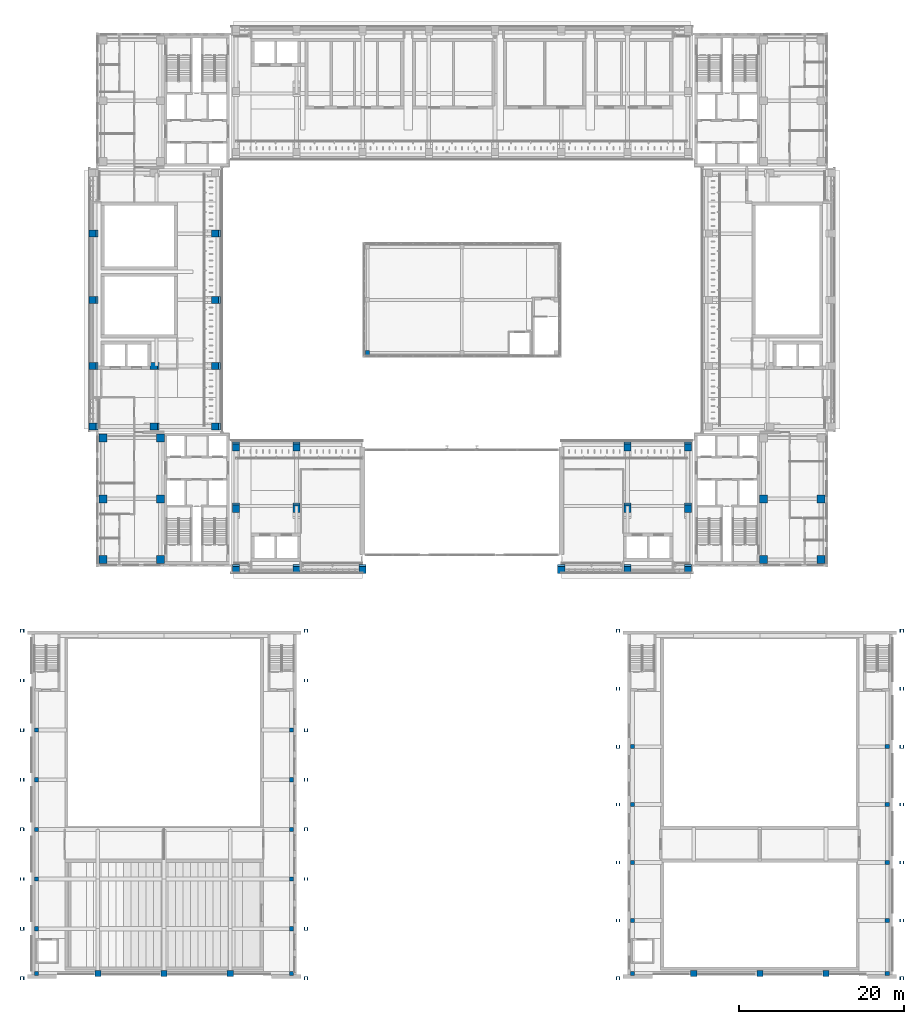
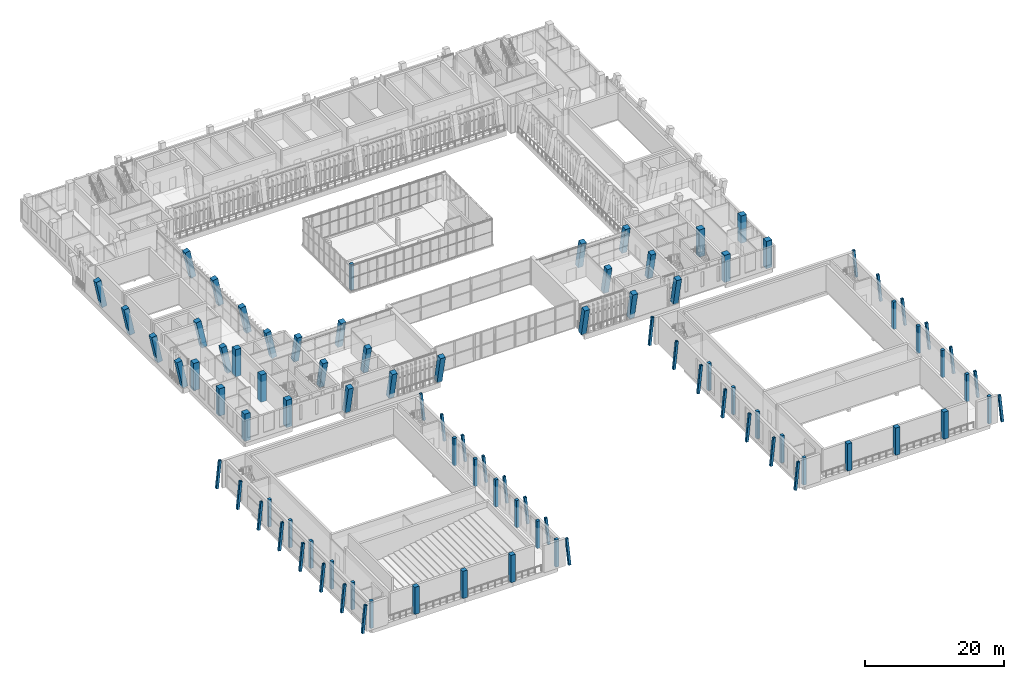
# One storey, part 1 of 92: 93 columns.
"""IFC4 building model written with IfcOpenShell, lengths in metres."""

from ifc_helpers import new_model, si_unit, direction, frame, origin, origin_2d, place, context, subcontext, project, spatial, rectangle, hollow_rectangle, extrude, material, material_profile, profile_set, type_object, element, save


model = new_model("IFC4")

# Units and contexts
model_context = context("Model", 3, precision=1e-05, world=origin(), true_north=direction((0.0, 1.0)))
body_context = subcontext(model_context, "Body", "Model", "MODEL_VIEW")
ifc_project = project(units=[si_unit("LENGTHUNIT", "METRE"), si_unit("AREAUNIT", "SQUARE_METRE"), si_unit("VOLUMEUNIT", "CUBIC_METRE"), si_unit("PLANEANGLEUNIT", "RADIAN"), si_unit("MASSUNIT", "GRAM", prefix="KILO")], contexts=[model_context])

# Site, building, storey
site_placement = place(None, origin())
site = spatial("IfcSite", under=ifc_project, at=site_placement, CompositionType="ELEMENT")
building_placement = place(site_placement, origin())
building = spatial("IfcBuilding", under=site, at=building_placement, Name="Lantern Court Media Centre", CompositionType="ELEMENT")
storey_placement = place(building_placement, frame((0.0, 0.0, 4.800048828125)))
storey = spatial("IfcBuildingStorey", under=building, at=storey_placement, Name="L01", CompositionType="ELEMENT", Elevation=4.800048828125)

# Columns
ifc_material_1 = material(Name="Steel S355J2 (EN 10025-2)", Category="steel")
ifc_material_profile_1 = material_profile(ifc_material_1, hollow_rectangle(XDim=0.39990234375, YDim=0.39990234375, WallThickness=0.012451171875, InnerFilletRadius=0.012451171875, OuterFilletRadius=0.018798828125, at=origin_2d()), Name="Cinema Hall buttress column SHS 400x12.5")
ifc_profile_set_1 = profile_set([ifc_material_profile_1], Name="Steel S355J2 (EN 10025-2)")
column_type_1 = type_object("IfcColumnType", Name="Cinema Hall buttress column SHS 400x12.5", PredefinedType="COLUMN", material=ifc_profile_set_1)
for number, where, z_axis, x_axis, name in (
    (1, (-1.213134765625, 4.0, 0.0), (0.100951540179, 0.0, 0.994891344085), (0.0, 1.0, 0.0), "Cinema Hall buttress west 2"),
    (2, (-1.213134765625, 10.0, 0.0), (0.100951540179, 0.0, 0.994891344085), (0.0, 1.0, 0.0), "Cinema Hall buttress west 3"),
    (3, (-1.213134765625, 16.0, 0.0), (0.100951540179, 0.0, 0.994891344085), (0.0, 1.0, 0.0), "Cinema Hall buttress west 4"),
    (4, (-1.213134765625, 22.0, 0.0), (0.100951540179, 0.0, 0.994891344085), (0.0, 1.0, 0.0), "Cinema Hall buttress west 5"),
    (5, (-1.213134765625, 28.0, 0.0), (0.100951540179, 0.0, 0.994891344085), (0.0, 1.0, 0.0), "Cinema Hall buttress west 6"),
    (6, (-1.213134765625, 34.0, 0.0), (0.100951540179, 0.0, 0.994891344085), (0.0, 1.0, 0.0), "Cinema Hall buttress west 7"),
    (7, (33.213134765625, 4.0, 0.0), (-0.100951540179, 0.0, 0.994891344085), (0.0, -1.0, 0.0), "Cinema Hall buttress east 2"),
    (8, (33.213134765625, 10.0, 0.0), (-0.100951540179, 0.0, 0.994891344085), (0.0, -1.0, 0.0), "Cinema Hall buttress east 3"),
    (9, (33.213134765625, 16.0, 0.0), (-0.100951540179, 0.0, 0.994891344085), (0.0, -1.0, 0.0), "Cinema Hall buttress east 4"),
    (10, (33.213134765625, 22.0, 0.0), (-0.100951540179, 0.0, 0.994891344085), (0.0, -1.0, 0.0), "Cinema Hall buttress east 5"),
    (11, (33.213134765625, 28.0, 0.0), (-0.100951540179, 0.0, 0.994891344085), (0.0, -1.0, 0.0), "Cinema Hall buttress east 6"),
    (12, (33.213134765625, 34.0, 0.0), (-0.100951540179, 0.0, 0.994891344085), (0.0, -1.0, 0.0), "Cinema Hall buttress east 7"),
):
    element("IfcColumn", number, at=place(storey_placement, frame(where, z_axis=z_axis, x_axis=x_axis)), inside=storey, type_object=column_type_1, Name=name, PredefinedType="COLUMN", context=body_context, shape_type="SweptSolid", body=[
        extrude(hollow_rectangle(XDim=0.39990234375, YDim=0.39990234375, WallThickness=0.012451171875, InnerFilletRadius=0.012451171875, OuterFilletRadius=0.018798828125, at=origin_2d()), origin(), (0.0, 0.0, 1.0), 4.82470703125),
    ])
ifc_material_profile_2 = material_profile(ifc_material_1, hollow_rectangle(XDim=0.39990234375, YDim=0.39990234375, WallThickness=0.01611328125, InnerFilletRadius=0.01611328125, OuterFilletRadius=0.02392578125, at=origin_2d()), Name="Cinema Hall gable buttress column SHS 400x16")
ifc_profile_set_2 = profile_set([ifc_material_profile_2], Name="Steel S355J2 (EN 10025-2)")
column_type_2 = type_object("IfcColumnType", Name="Cinema Hall gable buttress column SHS 400x16", PredefinedType="COLUMN", material=ifc_profile_set_2)
for number, where, z_axis, x_axis, name in (
    (13, (-1.213134765625, -2.0, 0.0), (0.100951540179, 0.0, 0.994891344085), (0.0, 1.0, 0.0), "Cinema Hall buttress west 1"),
    (14, (-1.213134765625, 40.0, 0.0), (0.100951540179, 0.0, 0.994891344085), (0.0, 1.0, 0.0), "Cinema Hall buttress west 8"),
    (15, (33.213134765625, -2.0, 0.0), (-0.100951540179, 0.0, 0.994891344085), (0.0, -1.0, 0.0), "Cinema Hall buttress east 1"),
    (16, (33.213134765625, 40.0, 0.0), (-0.100951540179, 0.0, 0.994891344085), (0.0, -1.0, 0.0), "Cinema Hall buttress east 8"),
):
    element("IfcColumn", number, at=place(storey_placement, frame(where, z_axis=z_axis, x_axis=x_axis)), inside=storey, type_object=column_type_2, Name=name, PredefinedType="COLUMN", context=body_context, shape_type="SweptSolid", body=[
        extrude(hollow_rectangle(XDim=0.39990234375, YDim=0.39990234375, WallThickness=0.01611328125, InnerFilletRadius=0.01611328125, OuterFilletRadius=0.02392578125, at=origin_2d()), origin(), (0.0, 0.0, 1.0), 4.82470703125),
    ])
ifc_material_2 = material(Name="Concrete C35", Category="concrete")
ifc_material_profile_3 = material_profile(ifc_material_2, rectangle(XDim=0.5, YDim=0.5, at=origin_2d()), Name="RC 500x500")
ifc_profile_set_3 = profile_set([ifc_material_profile_3], Name="Concrete C35")
column_type_3 = type_object("IfcColumnType", Name="RC COLUMN 500x500", PredefinedType="COLUMN", material=ifc_profile_set_3)
for number, where, z_axis, x_axis, name in (
    (17, (0.60009765625, -1.39990234375, 0.0), (0.0, 0.0, 1.0), (1.0, 0.0, 0.0), "C-V1-0-0-L01"),
    (18, (0.60009765625, 4.0, 0.0), (0.0, 0.0, 1.0), (1.0, 0.0, 0.0), "C-V1-0-1-L01"),
    (19, (0.60009765625, 10.0, 0.0), (0.0, 0.0, 1.0), (1.0, 0.0, 0.0), "C-V1-0-2-L01"),
    (20, (0.60009765625, 16.0, 0.0), (0.0, 0.0, 1.0), (1.0, 0.0, 0.0), "C-V1-0-3-L01"),
    (21, (0.60009765625, 22.0, 0.0), (0.0, 0.0, 1.0), (1.0, 0.0, 0.0), "C-V1-0-4-L01"),
    (22, (0.60009765625, 28.0, 0.0), (0.0, 0.0, 1.0), (1.0, 0.0, 0.0), "C-V1-0-5-L01"),
    (23, (31.39990234375, -1.39990234375, 0.0), (0.0, 0.0, 1.0), (1.0, 0.0, 0.0), "C-V1-4-0-L01"),
    (24, (31.39990234375, 4.0, 0.0), (0.0, 0.0, 1.0), (1.0, 0.0, 0.0), "C-V1-4-1-L01"),
    (25, (31.39990234375, 10.0, 0.0), (0.0, 0.0, 1.0), (1.0, 0.0, 0.0), "C-V1-4-2-L01"),
    (26, (31.39990234375, 16.0, 0.0), (0.0, 0.0, 1.0), (1.0, 0.0, 0.0), "C-V1-4-3-L01"),
    (27, (31.39990234375, 22.0, 0.0), (0.0, 0.0, 1.0), (1.0, 0.0, 0.0), "C-V1-4-4-L01"),
    (28, (31.39990234375, 28.0, 0.0), (0.0, 0.0, 1.0), (1.0, 0.0, 0.0), "C-V1-4-5-L01"),
    (29, (72.60009765625, -1.39990234375, 0.0), (0.0, 0.0, 1.0), (1.0, 0.0, 0.0), "C-V2-0-0-L01"),
    (30, (72.60009765625, 5.0, 0.0), (0.0, 0.0, 1.0), (1.0, 0.0, 0.0), "C-V2-0-1-L01"),
    (31, (72.60009765625, 12.0, 0.0), (0.0, 0.0, 1.0), (1.0, 0.0, 0.0), "C-V2-0-2-L01"),
    (32, (72.60009765625, 19.0, 0.0), (0.0, 0.0, 1.0), (1.0, 0.0, 0.0), "C-V2-0-3-L01"),
    (33, (72.60009765625, 26.0, 0.0), (0.0, 0.0, 1.0), (1.0, 0.0, 0.0), "C-V2-0-4-L01"),
    (34, (103.39990234375, -1.39990234375, 0.0), (0.0, 0.0, 1.0), (1.0, 0.0, 0.0), "C-V2-4-0-L01"),
    (35, (103.39990234375, 5.0, 0.0), (0.0, 0.0, 1.0), (1.0, 0.0, 0.0), "C-V2-4-1-L01"),
    (36, (103.39990234375, 12.0, 0.0), (0.0, 0.0, 1.0), (1.0, 0.0, 0.0), "C-V2-4-2-L01"),
    (37, (103.39990234375, 19.0, 0.0), (0.0, 0.0, 1.0), (1.0, 0.0, 0.0), "C-V2-4-3-L01"),
    (38, (103.39990234375, 26.0, 0.0), (0.0, 0.0, 1.0), (1.0, 0.0, 0.0), "C-V2-4-4-L01"),
):
    element("IfcColumn", number, at=place(storey_placement, frame(where, z_axis=z_axis, x_axis=x_axis)), inside=storey, type_object=column_type_3, Name=name, PredefinedType="COLUMN", context=body_context, shape_type="SweptSolid", body=[
        extrude(rectangle(XDim=0.5, YDim=0.5, at=origin_2d()), origin(), (0.0, 0.0, 1.0), 4.800048828125),
    ])
column_placement = place(storey_placement, frame((40.60009765625, 73.60009765625, 0.0), z_axis=(0.0, 0.0, 1.0), x_axis=(1.0, 0.0, 0.0)))
element("IfcColumn", 39, at=column_placement, inside=storey, type_object=column_type_3, Name="C-PRESS-00-L01", PredefinedType="COLUMN", context=body_context, shape_type="SweptSolid", body=[
    extrude(rectangle(XDim=0.5, YDim=0.5, at=origin_2d()), origin(), (0.0, 0.0, 1.0), 4.550048828125),
])
ifc_material_profile_4 = material_profile(ifc_material_2, rectangle(XDim=0.75, YDim=0.75, at=origin_2d()), Name="RC 750x750")
ifc_profile_set_4 = profile_set([ifc_material_profile_4], Name="Concrete C35")
column_type_4 = type_object("IfcColumnType", Name="RC COLUMN 750x750", PredefinedType="COLUMN", material=ifc_profile_set_4)
for number, where, z_axis, x_axis, name in (
    (40, (8.0, -1.39990234375, 0.0), (0.0, 0.0, 1.0), (1.0, 0.0, 0.0), "C-V1-1-0-L01"),
    (41, (16.0, -1.39990234375, 0.0), (0.0, 0.0, 1.0), (1.0, 0.0, 0.0), "C-V1-2-0-L01"),
    (42, (24.0, -1.39990234375, 0.0), (0.0, 0.0, 1.0), (1.0, 0.0, 0.0), "C-V1-3-0-L01"),
    (43, (80.0, -1.39990234375, 0.0), (0.0, 0.0, 1.0), (1.0, 0.0, 0.0), "C-V2-1-0-L01"),
    (44, (88.0, -1.39990234375, 0.0), (0.0, 0.0, 1.0), (1.0, 0.0, 0.0), "C-V2-2-0-L01"),
    (45, (96.0, -1.39990234375, 0.0), (0.0, 0.0, 1.0), (1.0, 0.0, 0.0), "C-V2-3-0-L01"),
):
    element("IfcColumn", number, at=place(storey_placement, frame(where, z_axis=z_axis, x_axis=x_axis)), inside=storey, type_object=column_type_4, Name=name, PredefinedType="COLUMN", context=body_context, shape_type="SweptSolid", body=[
        extrude(rectangle(XDim=0.75, YDim=0.75, at=origin_2d()), origin(), (0.0, 0.0, 1.0), 4.800048828125),
    ])
ifc_material_profile_5 = material_profile(ifc_material_2, rectangle(XDim=0.85009765625, YDim=0.85009765625, at=origin_2d()), Name="RC 850x850")
ifc_profile_set_5 = profile_set([ifc_material_profile_5], Name="Concrete C35")
column_type_5 = type_object("IfcColumnType", Name="RC COLUMN 850x850", PredefinedType="COLUMN", material=ifc_profile_set_5)
for number, where, z_axis, x_axis, name in (
    (46, (24.699951171875, 47.60009765625, 0.0), (0.0, -0.203952265704, 0.978980833987), (1.0, 0.0, 0.0), "C-S-0-0-L01"),
    (47, (32.0, 47.60009765625, 0.0), (0.0, -0.203952265704, 0.978980833987), (1.0, 0.0, 0.0), "C-S-0-1-L01"),
    (48, (40.0, 47.60009765625, 0.0), (0.0, -0.203952265704, 0.978980833987), (1.0, 0.0, 0.0), "C-S-0-2-L01"),
    (49, (64.0, 47.60009765625, 0.0), (0.0, -0.203952265704, 0.978980833987), (1.0, 0.0, 0.0), "C-S-0-5-L01"),
    (50, (72.0, 47.60009765625, 0.0), (0.0, -0.203952265704, 0.978980833987), (1.0, 0.0, 0.0), "C-S-0-6-L01"),
    (51, (79.300048828125, 47.60009765625, 0.0), (0.0, -0.203952265704, 0.978980833987), (1.0, 0.0, 0.0), "C-S-0-7-L01"),
    (52, (24.699951171875, 55.0, 0.0), (0.0, -0.203952265704, 0.978980833987), (1.0, 0.0, 0.0), "C-S-1-0-L01"),
    (53, (32.0, 55.0, 0.0), (0.0, -0.203952265704, 0.978980833987), (1.0, 0.0, 0.0), "C-S-1-1-L01"),
    (54, (72.0, 55.0, 0.0), (0.0, -0.203952265704, 0.978980833987), (1.0, 0.0, 0.0), "C-S-1-6-L01"),
    (55, (79.300048828125, 55.0, 0.0), (0.0, -0.203952265704, 0.978980833987), (1.0, 0.0, 0.0), "C-S-1-7-L01"),
    (56, (24.699951171875, 62.39990234375, 0.0), (0.0, -0.203952265704, 0.978980833987), (1.0, 0.0, 0.0), "C-S-2-0-L01"),
    (57, (32.0, 62.39990234375, 0.0), (0.0, -0.203952265704, 0.978980833987), (1.0, 0.0, 0.0), "C-S-2-1-L01"),
    (58, (72.0, 62.39990234375, 0.0), (0.0, -0.203952265704, 0.978980833987), (1.0, 0.0, 0.0), "C-S-2-6-L01"),
    (59, (79.300048828125, 62.39990234375, 0.0), (0.0, -0.203952265704, 0.978980833987), (1.0, 0.0, 0.0), "C-S-2-7-L01"),
    (60, (7.60009765625, 64.699951171875, 0.0), (-0.203952265704, 0.0, 0.978980833987), (0.0, -1.0, 0.0), "C-W-0-0-L01"),
    (61, (7.60009765625, 72.0, 0.0), (-0.203952265704, 0.0, 0.978980833987), (0.0, -1.0, 0.0), "C-W-0-1-L01"),
    (62, (7.60009765625, 80.0, 0.0), (-0.203952265704, 0.0, 0.978980833987), (0.0, -1.0, 0.0), "C-W-0-2-L01"),
    (63, (7.60009765625, 88.0, 0.0), (-0.203952265704, 0.0, 0.978980833987), (0.0, -1.0, 0.0), "C-W-0-3-L01"),
    (64, (15.0, 64.699951171875, 0.0), (-0.203952265704, 0.0, 0.978980833987), (0.0, -1.0, 0.0), "C-W-1-0-L01"),
    (65, (15.0, 72.0, 0.0), (-0.203952265704, 0.0, 0.978980833987), (0.0, -1.0, 0.0), "C-W-1-1-L01"),
    (66, (22.39990234375, 64.699951171875, 0.0), (-0.203952265704, 0.0, 0.978980833987), (0.0, -1.0, 0.0), "C-W-2-0-L01"),
    (67, (22.39990234375, 72.0, 0.0), (-0.203952265704, 0.0, 0.978980833987), (0.0, -1.0, 0.0), "C-W-2-1-L01"),
    (68, (22.39990234375, 80.0, 0.0), (-0.203952265704, 0.0, 0.978980833987), (0.0, -1.0, 0.0), "C-W-2-2-L01"),
    (69, (22.39990234375, 88.0, 0.0), (-0.203952265704, 0.0, 0.978980833987), (0.0, -1.0, 0.0), "C-W-2-3-L01"),
):
    element("IfcColumn", number, at=place(storey_placement, frame(where, z_axis=z_axis, x_axis=x_axis)), inside=storey, type_object=column_type_5, Name=name, PredefinedType="COLUMN", context=body_context, shape_type="SweptSolid", body=[
        extrude(rectangle(XDim=0.85009765625, YDim=0.85009765625, at=origin_2d()), origin(), (0.0, 0.0, 1.0), 4.903076171875),
    ])
ifc_material_profile_6 = material_profile(ifc_material_2, rectangle(XDim=0.949951171875, YDim=0.949951171875, at=origin_2d()), Name="RC 950x950")
ifc_profile_set_6 = profile_set([ifc_material_profile_6], Name="Concrete C35")
column_type_6 = type_object("IfcColumnType", Name="RC COLUMN 950x950", PredefinedType="COLUMN", material=ifc_profile_set_6)
for number, where, z_axis, x_axis, name in (
    (70, (8.60009765625, 48.60009765625, 0.0), (0.0, 0.0, 1.0), (1.0, 0.0, 0.0), "C-SW-0-L01"),
    (71, (8.60009765625, 55.949951171875, 0.0), (0.0, 0.0, 1.0), (1.0, 0.0, 0.0), "C-SW-1-L01"),
    (72, (8.60009765625, 63.300048828125, 0.0), (0.0, 0.0, 1.0), (1.0, 0.0, 0.0), "C-SW-2-L01"),
    (73, (15.550048828125, 48.60009765625, 0.0), (0.0, 0.0, 1.0), (1.0, 0.0, 0.0), "C-SW-3-L01"),
    (74, (15.550048828125, 55.949951171875, 0.0), (0.0, 0.0, 1.0), (1.0, 0.0, 0.0), "C-SW-4-L01"),
    (75, (15.550048828125, 63.300048828125, 0.0), (0.0, 0.0, 1.0), (1.0, 0.0, 0.0), "C-SW-5-L01"),
    (76, (88.449951171875, 48.60009765625, 0.0), (0.0, 0.0, 1.0), (1.0, 0.0, 0.0), "C-SE-0-L01"),
    (77, (88.449951171875, 55.949951171875, 0.0), (0.0, 0.0, 1.0), (1.0, 0.0, 0.0), "C-SE-1-L01"),
    (78, (95.39990234375, 48.60009765625, 0.0), (0.0, 0.0, 1.0), (1.0, 0.0, 0.0), "C-SE-3-L01"),
    (79, (95.39990234375, 55.949951171875, 0.0), (0.0, 0.0, 1.0), (1.0, 0.0, 0.0), "C-SE-4-L01"),
):
    element("IfcColumn", number, at=place(storey_placement, frame(where, z_axis=z_axis, x_axis=x_axis)), inside=storey, type_object=column_type_6, Name=name, PredefinedType="COLUMN", context=body_context, shape_type="SweptSolid", body=[
        extrude(rectangle(XDim=0.949951171875, YDim=0.949951171875, at=origin_2d()), origin(), (0.0, 0.0, 1.0), 4.800048828125),
    ])
ifc_material_profile_7 = material_profile(ifc_material_1, hollow_rectangle(XDim=0.39990234375, YDim=0.39990234375, WallThickness=0.012451171875, InnerFilletRadius=0.012451171875, OuterFilletRadius=0.018798828125, at=origin_2d()), Name="Studio Hall buttress column SHS 400x12.5")
ifc_profile_set_7 = profile_set([ifc_material_profile_7], Name="Steel S355J2 (EN 10025-2)")
column_type_7 = type_object("IfcColumnType", Name="Studio Hall buttress column SHS 400x12.5", PredefinedType="COLUMN", material=ifc_profile_set_7)
for number, where, z_axis, x_axis, name in (
    (80, (70.786865234375, 5.0, 0.0), (0.100951540179, 0.0, 0.994891344085), (0.0, 1.0, 0.0), "Studio Hall buttress west 2"),
    (81, (70.786865234375, 12.0, 0.0), (0.100951540179, 0.0, 0.994891344085), (0.0, 1.0, 0.0), "Studio Hall buttress west 3"),
    (82, (70.786865234375, 19.0, 0.0), (0.100951540179, 0.0, 0.994891344085), (0.0, 1.0, 0.0), "Studio Hall buttress west 4"),
    (83, (70.786865234375, 26.0, 0.0), (0.100951540179, 0.0, 0.994891344085), (0.0, 1.0, 0.0), "Studio Hall buttress west 5"),
    (84, (70.786865234375, 33.0, 0.0), (0.100951540179, 0.0, 0.994891344085), (0.0, 1.0, 0.0), "Studio Hall buttress west 6"),
    (85, (105.213134765625, 5.0, 0.0), (-0.100951540179, 0.0, 0.994891344085), (0.0, -1.0, 0.0), "Studio Hall buttress east 2"),
    (86, (105.213134765625, 12.0, 0.0), (-0.100951540179, 0.0, 0.994891344085), (0.0, -1.0, 0.0), "Studio Hall buttress east 3"),
    (87, (105.213134765625, 19.0, 0.0), (-0.100951540179, 0.0, 0.994891344085), (0.0, -1.0, 0.0), "Studio Hall buttress east 4"),
    (88, (105.213134765625, 26.0, 0.0), (-0.100951540179, 0.0, 0.994891344085), (0.0, -1.0, 0.0), "Studio Hall buttress east 5"),
    (89, (105.213134765625, 33.0, 0.0), (-0.100951540179, 0.0, 0.994891344085), (0.0, -1.0, 0.0), "Studio Hall buttress east 6"),
):
    element("IfcColumn", number, at=place(storey_placement, frame(where, z_axis=z_axis, x_axis=x_axis)), inside=storey, type_object=column_type_7, Name=name, PredefinedType="COLUMN", context=body_context, shape_type="SweptSolid", body=[
        extrude(hollow_rectangle(XDim=0.39990234375, YDim=0.39990234375, WallThickness=0.012451171875, InnerFilletRadius=0.012451171875, OuterFilletRadius=0.018798828125, at=origin_2d()), origin(), (0.0, 0.0, 1.0), 4.82470703125),
    ])
ifc_material_profile_8 = material_profile(ifc_material_1, hollow_rectangle(XDim=0.39990234375, YDim=0.39990234375, WallThickness=0.01611328125, InnerFilletRadius=0.01611328125, OuterFilletRadius=0.02392578125, at=origin_2d()), Name="Studio Hall gable buttress column SHS 400x16")
ifc_profile_set_8 = profile_set([ifc_material_profile_8], Name="Steel S355J2 (EN 10025-2)")
column_type_8 = type_object("IfcColumnType", Name="Studio Hall gable buttress column SHS 400x16", PredefinedType="COLUMN", material=ifc_profile_set_8)
for number, where, z_axis, x_axis, name in (
    (90, (70.786865234375, -2.0, 0.0), (0.100951540179, 0.0, 0.994891344085), (0.0, 1.0, 0.0), "Studio Hall buttress west 1"),
    (91, (70.786865234375, 40.0, 0.0), (0.100951540179, 0.0, 0.994891344085), (0.0, 1.0, 0.0), "Studio Hall buttress west 7"),
    (92, (105.213134765625, -2.0, 0.0), (-0.100951540179, 0.0, 0.994891344085), (0.0, -1.0, 0.0), "Studio Hall buttress east 1"),
    (93, (105.213134765625, 40.0, 0.0), (-0.100951540179, 0.0, 0.994891344085), (0.0, -1.0, 0.0), "Studio Hall buttress east 7"),
):
    element("IfcColumn", number, at=place(storey_placement, frame(where, z_axis=z_axis, x_axis=x_axis)), inside=storey, type_object=column_type_8, Name=name, PredefinedType="COLUMN", context=body_context, shape_type="SweptSolid", body=[
        extrude(hollow_rectangle(XDim=0.39990234375, YDim=0.39990234375, WallThickness=0.01611328125, InnerFilletRadius=0.01611328125, OuterFilletRadius=0.02392578125, at=origin_2d()), origin(), (0.0, 0.0, 1.0), 4.82470703125),
    ])

save(model, "model.ifc")
